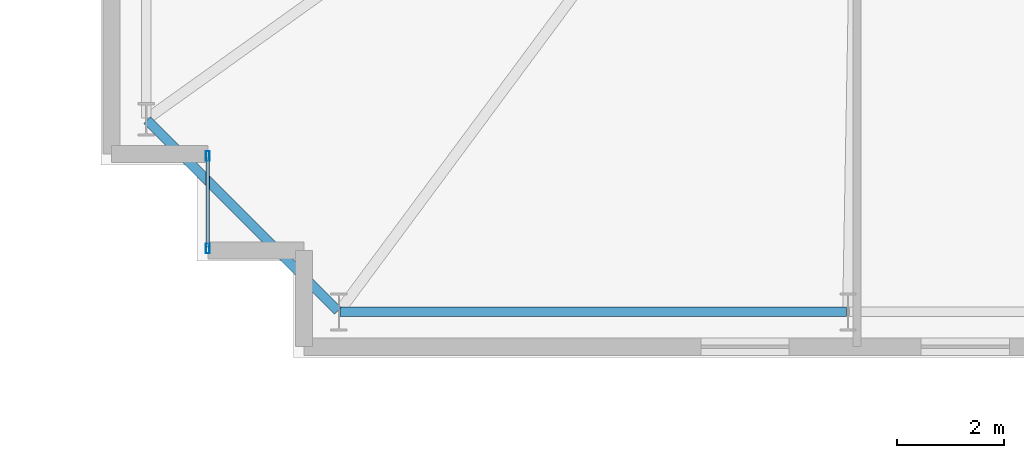
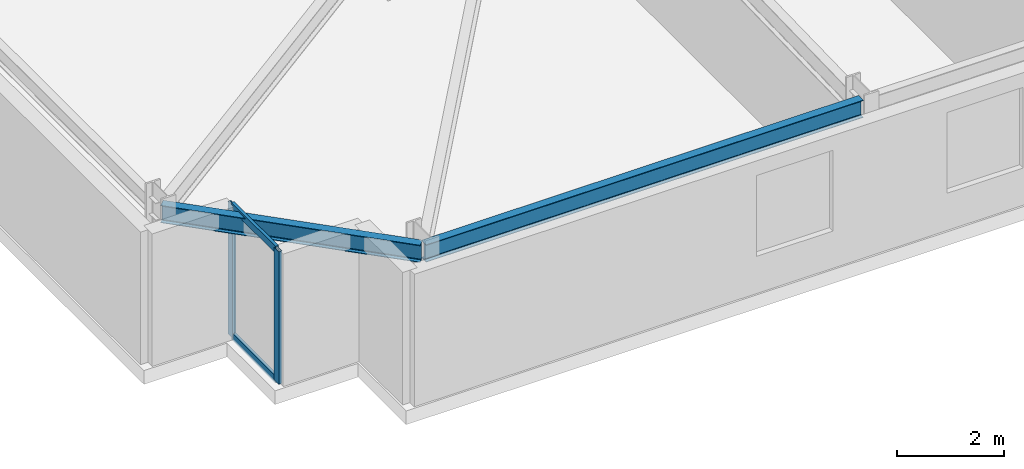
# One storey, part 4 of 21: 4 members, 2 beams, 1 element without a shape of its own.
"""IFC4 building model written with IfcOpenShell, lengths in metres."""

from ifc_helpers import new_model, si_unit, direction, frame, origin, origin_2d, place, context, subcontext, project, spatial, hollow_rectangle, i_section, extrude, material, layer, layer_set, material_profile, profile_set, type_object, element, aggregate, save


model = new_model("IFC4")

# Units and contexts
model_context = context("Model", 3, precision=1e-05, world=origin(), true_north=direction((0.0, 1.0)))
body_context = subcontext(model_context, "Body", "Model", "MODEL_VIEW")
ifc_project = project(units=[si_unit("LENGTHUNIT", "METRE"), si_unit("AREAUNIT", "SQUARE_METRE"), si_unit("VOLUMEUNIT", "CUBIC_METRE"), si_unit("PLANEANGLEUNIT", "RADIAN"), si_unit("MASSUNIT", "GRAM", prefix="KILO")], contexts=[model_context])

# Site, building, storey
site_placement = place(None, origin())
site = spatial("IfcSite", under=ifc_project, at=site_placement, CompositionType="ELEMENT")
building_placement = place(site_placement, origin())
building = spatial("IfcBuilding", under=site, at=building_placement, Name="Qobustan Lattice House", CompositionType="ELEMENT")
storey_placement = place(building_placement, frame((0.0, 0.0, 40.39990234375)))
storey = spatial("IfcBuildingStorey", under=building, at=storey_placement, Name="L10", CompositionType="ELEMENT", Elevation=40.39990234375)

# Beams
ifc_material_1 = material(Name="Steel S355", Category="steel")
ifc_material_profile_1 = material_profile(ifc_material_1, i_section(OverallWidth=0.179931640625, OverallDepth=0.39990234375, WebThickness=0.008544921875, FlangeThickness=0.013427734375, FilletRadius=0.02099609375, at=origin_2d()), Name="IPE400")
ifc_profile_set_1 = profile_set([ifc_material_profile_1], Name="Steel S355")
beam_type = type_object("IfcBeamType", Name="BM-SPD-IPE400", PredefinedType="SPANDREL", material=ifc_profile_set_1)
beam_1_placement = place(storey_placement, frame((-28.52490234375, -18.75, 2.835205078125), z_axis=(1.0, 0.0, 0.0), x_axis=(0.0, 1.0, 0.0)))
element("IfcBeam", 1, at=beam_1_placement, inside=storey, type_object=beam_type, Name="L10 perimeter spandrel S1-S2", PredefinedType="SPANDREL", context=body_context, shape_type="SweptSolid", body=[
    extrude(i_section(OverallWidth=0.179931640625, OverallDepth=0.39990234375, WebThickness=0.008544921875, FlangeThickness=0.013427734375, FilletRadius=0.02099609375, at=origin_2d()), origin(), (0.0, 0.0, 1.0), 9.466552734375),
])
beam_2_placement = place(storey_placement, frame((-32.13232421875, -15.167724609375, 2.835205078125), z_axis=(0.707106781187, -0.707106781187, 0.0), x_axis=(0.707106781187, 0.707106781187, 0.0)))
element("IfcBeam", 2, at=beam_2_placement, inside=storey, type_object=beam_type, Name="L10 perimeter spandrel W4-S1", PredefinedType="SPANDREL", context=body_context, shape_type="SweptSolid", body=[
    extrude(i_section(OverallWidth=0.179931640625, OverallDepth=0.39990234375, WebThickness=0.008544921875, FlangeThickness=0.013427734375, FilletRadius=0.02099609375, at=origin_2d()), origin(), (0.0, 0.0, 1.0), 5.041259765625),
])

# Curtain wall, members
ifc_material_2 = material(Name="Anodised aluminium and low-E glazing", Category="aluminium")
ifc_layer = layer(ifc_material_2, 0.219970703125)
ifc_layer_set = layer_set([ifc_layer], Name="Anodised aluminium and low-E glazing")
curtain_wall_type = type_object("IfcCurtainWallType", Name="CW-FAC-01", PredefinedType="USERDEFINED", material=ifc_layer_set)
curtain_wall_placement = place(storey_placement, origin())
curtain_wall = element("IfcCurtainWall", 3, at=curtain_wall_placement, inside=storey, type_object=curtain_wall_type, Name="L10 serrated corner faceted glazing 3", ObjectType="CURTAIN WALL", PredefinedType="USERDEFINED")
ifc_material_3 = material(Name="Anodised aluminium EN AW-6063 T6", Category="aluminium")
ifc_material_profile_2 = material_profile(ifc_material_3, hollow_rectangle(XDim=0.070068359375, YDim=0.179931640625, WallThickness=0.00439453125, at=origin_2d()), Name="CWM-180x70")
ifc_profile_set_2 = profile_set([ifc_material_profile_2], Name="Anodised aluminium EN AW-6063 T6")
member_type_1 = type_object("IfcMemberType", Name="CWM-STD-180", PredefinedType="MULLION", material=ifc_profile_set_2)
member_1_placement = place(storey_placement, frame((-31.0, -17.56494140625, 0.0), z_axis=(0.0, 0.0, 1.0), x_axis=(-1.0, 0.0, 0.0)))
member_1 = element("IfcMember", 4, at=member_1_placement, type_object=member_type_1, Name="CW-F1 mullion 1", PredefinedType="MULLION", context=body_context, shape_type="SweptSolid", body=[
    extrude(hollow_rectangle(XDim=0.070068359375, YDim=0.179931640625, WallThickness=0.00439453125, at=origin_2d()), origin(), (0.0, 0.0, 1.0), 3.03515625),
])
member_2_placement = place(storey_placement, frame((-31.0, -15.8349609375, 0.0), z_axis=(0.0, 0.0, 1.0), x_axis=(-1.0, 0.0, 0.0)))
member_2 = element("IfcMember", 5, at=member_2_placement, type_object=member_type_1, Name="CW-F1 mullion 2", PredefinedType="MULLION", context=body_context, shape_type="SweptSolid", body=[
    extrude(hollow_rectangle(XDim=0.070068359375, YDim=0.179931640625, WallThickness=0.00439453125, at=origin_2d()), origin(), (0.0, 0.0, 1.0), 3.03515625),
])
ifc_material_4 = material(Name="Anodised aluminium EN AW-6063 T6", Category="aluminium")
ifc_material_profile_3 = material_profile(ifc_material_4, hollow_rectangle(XDim=0.06494140625, YDim=0.159912109375, WallThickness=0.00390625, at=origin_2d()), Name="CWT-160x65")
ifc_profile_set_3 = profile_set([ifc_material_profile_3], Name="Anodised aluminium EN AW-6063 T6")
member_type_2 = type_object("IfcMemberType", Name="CWT-HOR-160", PredefinedType="USERDEFINED", material=ifc_profile_set_3)
member_3_placement = place(storey_placement, frame((-31.0, -17.530029296875, 0.03271484375), z_axis=(0.0, 1.0, 0.0), x_axis=(-1.0, 0.0, 0.0)))
member_3 = element("IfcMember", 6, at=member_3_placement, type_object=member_type_2, Name="CW-F1 transom 1.1", ObjectType="TRANSOM", PredefinedType="USERDEFINED", context=body_context, shape_type="SweptSolid", body=[
    extrude(hollow_rectangle(XDim=0.06494140625, YDim=0.159912109375, WallThickness=0.00390625, at=origin_2d()), origin(), (0.0, 0.0, 1.0), 1.659912109375),
])
member_4_placement = place(storey_placement, frame((-31.0, -17.530029296875, 3.002685546875), z_axis=(0.0, 1.0, 0.0), x_axis=(-1.0, 0.0, 0.0)))
member_4 = element("IfcMember", 7, at=member_4_placement, type_object=member_type_2, Name="CW-F1 transom 1.2", ObjectType="TRANSOM", PredefinedType="USERDEFINED", context=body_context, shape_type="SweptSolid", body=[
    extrude(hollow_rectangle(XDim=0.06494140625, YDim=0.159912109375, WallThickness=0.00390625, at=origin_2d()), origin(), (0.0, 0.0, 1.0), 1.659912109375),
])
aggregate(curtain_wall, [member_1, member_2, member_3, member_4])

save(model, "model.ifc")
